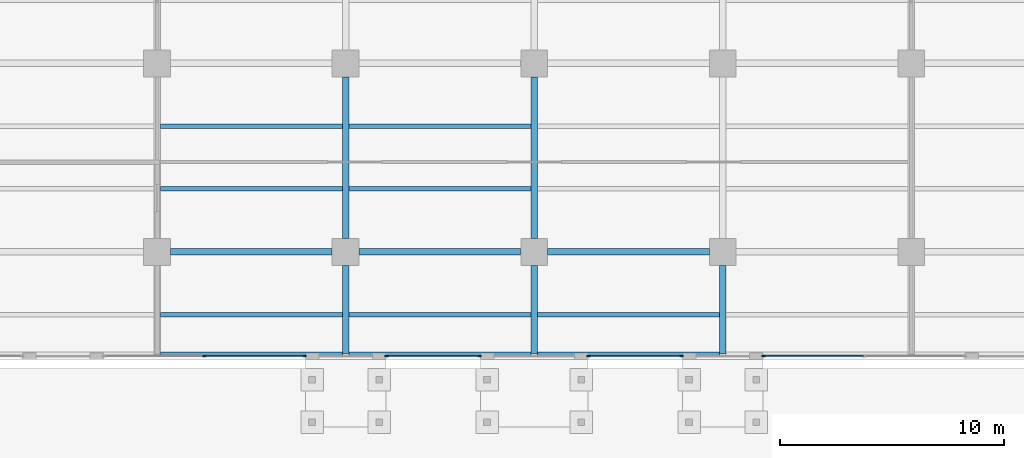
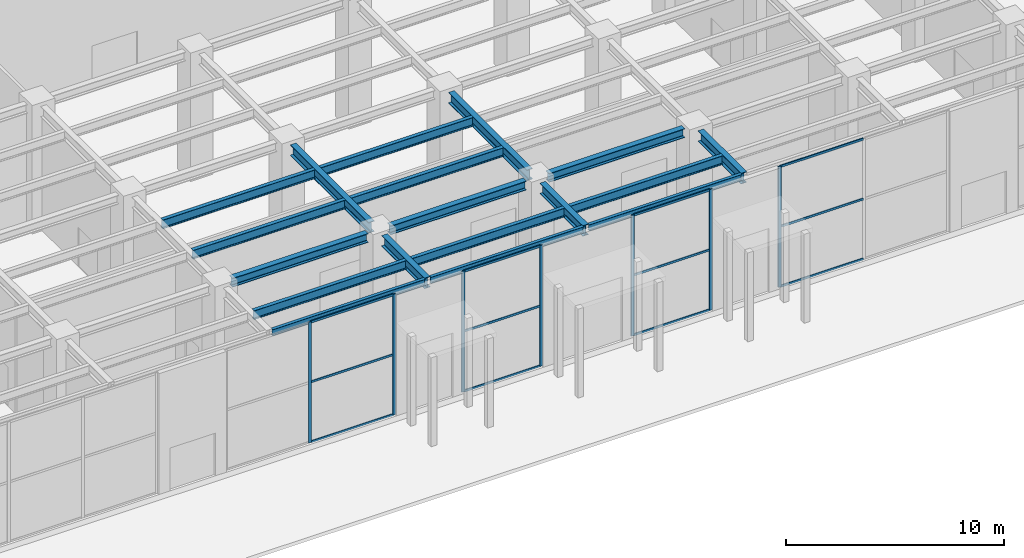
# One storey, part 6 of 43: 19 members, 18 beams, 4 elements without a shape of their own.
"""IFC4 building model written with IfcOpenShell, lengths in metres."""

from ifc_helpers import new_model, si_unit, direction, frame, origin, origin_2d, place, context, subcontext, project, spatial, rectangle, i_section, extrude, material, material_profile, profile_set, type_object, element, aggregate, save


model = new_model("IFC4")

# Units and contexts
model_context = context("Model", 3, precision=1e-05, world=origin(), true_north=direction((0.0, 1.0)))
body_context = subcontext(model_context, "Body", "Model", "MODEL_VIEW")
ifc_project = project(units=[si_unit("LENGTHUNIT", "METRE"), si_unit("AREAUNIT", "SQUARE_METRE"), si_unit("VOLUMEUNIT", "CUBIC_METRE"), si_unit("PLANEANGLEUNIT", "RADIAN"), si_unit("MASSUNIT", "GRAM", prefix="KILO")], contexts=[model_context])

# Site, building, storey
site_placement = place(None, origin())
site = spatial("IfcSite", under=ifc_project, at=site_placement, CompositionType="ELEMENT")
building_placement = place(site_placement, origin())
building = spatial("IfcBuilding", under=site, at=building_placement, Name="Khepri Terraces", CompositionType="ELEMENT")
storey_placement = place(building_placement, origin())
storey = spatial("IfcBuildingStorey", under=building, at=storey_placement, Name="L00", CompositionType="ELEMENT", Elevation=0.0)

# Curtain wall, members
ifc_material_1 = material(Name="Anodised aluminium bronze curtain wall", Category="aluminium")
curtain_wall_type = type_object("IfcCurtainWallType", Name="CW-SYS1-LOBBY", PredefinedType="NOTDEFINED", material=ifc_material_1)
curtain_wall_1_placement = place(storey_placement, origin())
curtain_wall_1 = element("IfcCurtainWall", 1, at=curtain_wall_1_placement, inside=storey, type_object=curtain_wall_type, Name="Curtain wall CW1 L00 S", PredefinedType="NOTDEFINED")
ifc_material_2 = material(Name="Anodised aluminium bronze", Category="aluminium")
ifc_material_profile_1 = material_profile(ifc_material_2, rectangle(XDim=0.06005859375, YDim=0.159912109375, at=origin_2d()), Name="Anodised aluminium bronze", Category="aluminium")
ifc_profile_set_1 = profile_set([ifc_material_profile_1], Name="Anodised aluminium bronze")
member_type_1 = type_object("IfcMemberType", Name="CW-MULLION-60x160", PredefinedType="MULLION", material=ifc_profile_set_1)
member_1_placement = place(storey_placement, frame((-14.699951171875, -46.64990234375, 0.0), z_axis=(0.0, 0.0, 1.0), x_axis=(0.0, 1.0, 0.0)))
member_1 = element("IfcMember", 2, at=member_1_placement, type_object=member_type_1, Name="CW1 mullion 2", PredefinedType="MULLION", context=body_context, shape_type="SweptSolid", body=[
    extrude(rectangle(XDim=0.06005859375, YDim=0.159912109375, at=origin_2d()), origin(), (0.0, 0.0, 1.0), 6.780029296875),
])
member_2_placement = place(storey_placement, frame((-10.22998046875, -46.64990234375, 0.0), z_axis=(0.0, 0.0, 1.0), x_axis=(0.0, 1.0, 0.0)))
member_2 = element("IfcMember", 3, at=member_2_placement, type_object=member_type_1, Name="CW1 mullion 3", PredefinedType="MULLION", context=body_context, shape_type="SweptSolid", body=[
    extrude(rectangle(XDim=0.06005859375, YDim=0.159912109375, at=origin_2d()), origin(), (0.0, 0.0, 1.0), 6.780029296875),
])

curtain_wall_2_placement = place(storey_placement, origin())
curtain_wall_2 = element("IfcCurtainWall", 4, at=curtain_wall_2_placement, inside=storey, type_object=curtain_wall_type, Name="Curtain wall CW1 L00 S", PredefinedType="NOTDEFINED")
member_3_placement = place(storey_placement, frame((-6.570068359375, -46.64990234375, 0.0), z_axis=(0.0, 0.0, 1.0), x_axis=(0.0, 1.0, 0.0)))
member_3 = element("IfcMember", 5, at=member_3_placement, type_object=member_type_1, Name="CW1 mullion 1", PredefinedType="MULLION", context=body_context, shape_type="SweptSolid", body=[
    extrude(rectangle(XDim=0.06005859375, YDim=0.159912109375, at=origin_2d()), origin(), (0.0, 0.0, 1.0), 6.780029296875),
])
member_4_placement = place(storey_placement, frame((-2.429931640625, -46.64990234375, 0.0), z_axis=(0.0, 0.0, 1.0), x_axis=(0.0, 1.0, 0.0)))
member_4 = element("IfcMember", 6, at=member_4_placement, type_object=member_type_1, Name="CW1 mullion 2", PredefinedType="MULLION", context=body_context, shape_type="SweptSolid", body=[
    extrude(rectangle(XDim=0.06005859375, YDim=0.159912109375, at=origin_2d()), origin(), (0.0, 0.0, 1.0), 6.780029296875),
])

curtain_wall_3_placement = place(storey_placement, origin())
curtain_wall_3 = element("IfcCurtainWall", 7, at=curtain_wall_3_placement, inside=storey, type_object=curtain_wall_type, Name="Curtain wall CW1 L00 S", PredefinedType="NOTDEFINED")
member_5_placement = place(storey_placement, frame((2.429931640625, -46.64990234375, 0.0), z_axis=(0.0, 0.0, 1.0), x_axis=(0.0, 1.0, 0.0)))
member_5 = element("IfcMember", 8, at=member_5_placement, type_object=member_type_1, Name="CW1 mullion 1", PredefinedType="MULLION", context=body_context, shape_type="SweptSolid", body=[
    extrude(rectangle(XDim=0.06005859375, YDim=0.159912109375, at=origin_2d()), origin(), (0.0, 0.0, 1.0), 6.780029296875),
])
member_6_placement = place(storey_placement, frame((6.570068359375, -46.64990234375, 0.0), z_axis=(0.0, 0.0, 1.0), x_axis=(0.0, 1.0, 0.0)))
member_6 = element("IfcMember", 9, at=member_6_placement, type_object=member_type_1, Name="CW1 mullion 2", PredefinedType="MULLION", context=body_context, shape_type="SweptSolid", body=[
    extrude(rectangle(XDim=0.06005859375, YDim=0.159912109375, at=origin_2d()), origin(), (0.0, 0.0, 1.0), 6.780029296875),
])

# Curtain wall, member
curtain_wall_4_placement = place(storey_placement, origin())
curtain_wall_4 = element("IfcCurtainWall", 10, at=curtain_wall_4_placement, inside=storey, type_object=curtain_wall_type, Name="Curtain wall CW1 L00 S", PredefinedType="NOTDEFINED")
member_7_placement = place(storey_placement, frame((10.22998046875, -46.64990234375, 0.0), z_axis=(0.0, 0.0, 1.0), x_axis=(0.0, 1.0, 0.0)))
member_7 = element("IfcMember", 11, at=member_7_placement, type_object=member_type_1, Name="CW1 mullion 1", PredefinedType="MULLION", context=body_context, shape_type="SweptSolid", body=[
    extrude(rectangle(XDim=0.06005859375, YDim=0.159912109375, at=origin_2d()), origin(), (0.0, 0.0, 1.0), 6.780029296875),
])

# Member
ifc_material_profile_2 = material_profile(ifc_material_2, rectangle(XDim=0.06005859375, YDim=0.1201171875, at=origin_2d()), Name="Anodised aluminium bronze", Category="aluminium")
ifc_profile_set_2 = profile_set([ifc_material_profile_2], Name="Anodised aluminium bronze")
member_type_2 = type_object("IfcMemberType", Name="CW-TRANSOM-60x120", PredefinedType="USERDEFINED", material=ifc_profile_set_2)
member_8_placement = place(storey_placement, frame((-14.669921875, -46.64990234375, 0.030029296875), z_axis=(1.0, 0.0, 0.0), x_axis=(0.0, 1.0, 0.0)))
member_8 = element("IfcMember", 12, at=member_8_placement, type_object=member_type_2, Name="CW1 transom 2.1", ObjectType="TRANSOM", PredefinedType="USERDEFINED", context=body_context, shape_type="SweptSolid", body=[
    extrude(rectangle(XDim=0.06005859375, YDim=0.1201171875, at=origin_2d()), origin(), (0.0, 0.0, 1.0), 4.409912109375),
])

member_9_placement = place(storey_placement, frame((-14.669921875, -46.64990234375, 3.389892578125), z_axis=(1.0, 0.0, 0.0), x_axis=(0.0, 1.0, 0.0)))
member_9 = element("IfcMember", 13, at=member_9_placement, type_object=member_type_2, Name="CW1 transom 2.2", ObjectType="TRANSOM", PredefinedType="USERDEFINED", context=body_context, shape_type="SweptSolid", body=[
    extrude(rectangle(XDim=0.06005859375, YDim=0.1201171875, at=origin_2d()), origin(), (0.0, 0.0, 1.0), 4.409912109375),
])

member_10_placement = place(storey_placement, frame((-14.669921875, -46.64990234375, 6.75), z_axis=(1.0, 0.0, 0.0), x_axis=(0.0, 1.0, 0.0)))
member_10 = element("IfcMember", 14, at=member_10_placement, type_object=member_type_2, Name="CW1 transom 2.3", ObjectType="TRANSOM", PredefinedType="USERDEFINED", context=body_context, shape_type="SweptSolid", body=[
    extrude(rectangle(XDim=0.06005859375, YDim=0.1201171875, at=origin_2d()), origin(), (0.0, 0.0, 1.0), 4.409912109375),
])

aggregate(curtain_wall_1, [member_1, member_2, member_8, member_9, member_10])

member_11_placement = place(storey_placement, frame((-6.5400390625, -46.64990234375, 0.030029296875), z_axis=(1.0, 0.0, 0.0), x_axis=(0.0, 1.0, 0.0)))
member_11 = element("IfcMember", 15, at=member_11_placement, type_object=member_type_2, Name="CW1 transom 1.1", ObjectType="TRANSOM", PredefinedType="USERDEFINED", context=body_context, shape_type="SweptSolid", body=[
    extrude(rectangle(XDim=0.06005859375, YDim=0.1201171875, at=origin_2d()), origin(), (0.0, 0.0, 1.0), 4.080078125),
])

member_12_placement = place(storey_placement, frame((-6.5400390625, -46.64990234375, 3.389892578125), z_axis=(1.0, 0.0, 0.0), x_axis=(0.0, 1.0, 0.0)))
member_12 = element("IfcMember", 16, at=member_12_placement, type_object=member_type_2, Name="CW1 transom 1.2", ObjectType="TRANSOM", PredefinedType="USERDEFINED", context=body_context, shape_type="SweptSolid", body=[
    extrude(rectangle(XDim=0.06005859375, YDim=0.1201171875, at=origin_2d()), origin(), (0.0, 0.0, 1.0), 4.080078125),
])

member_13_placement = place(storey_placement, frame((-6.5400390625, -46.64990234375, 6.75), z_axis=(1.0, 0.0, 0.0), x_axis=(0.0, 1.0, 0.0)))
member_13 = element("IfcMember", 17, at=member_13_placement, type_object=member_type_2, Name="CW1 transom 1.3", ObjectType="TRANSOM", PredefinedType="USERDEFINED", context=body_context, shape_type="SweptSolid", body=[
    extrude(rectangle(XDim=0.06005859375, YDim=0.1201171875, at=origin_2d()), origin(), (0.0, 0.0, 1.0), 4.080078125),
])

aggregate(curtain_wall_2, [member_3, member_4, member_11, member_12, member_13])

member_14_placement = place(storey_placement, frame((2.4599609375, -46.64990234375, 0.030029296875), z_axis=(1.0, 0.0, 0.0), x_axis=(0.0, 1.0, 0.0)))
member_14 = element("IfcMember", 18, at=member_14_placement, type_object=member_type_2, Name="CW1 transom 1.1", ObjectType="TRANSOM", PredefinedType="USERDEFINED", context=body_context, shape_type="SweptSolid", body=[
    extrude(rectangle(XDim=0.06005859375, YDim=0.1201171875, at=origin_2d()), origin(), (0.0, 0.0, 1.0), 4.080078125),
])

member_15_placement = place(storey_placement, frame((2.4599609375, -46.64990234375, 3.389892578125), z_axis=(1.0, 0.0, 0.0), x_axis=(0.0, 1.0, 0.0)))
member_15 = element("IfcMember", 19, at=member_15_placement, type_object=member_type_2, Name="CW1 transom 1.2", ObjectType="TRANSOM", PredefinedType="USERDEFINED", context=body_context, shape_type="SweptSolid", body=[
    extrude(rectangle(XDim=0.06005859375, YDim=0.1201171875, at=origin_2d()), origin(), (0.0, 0.0, 1.0), 4.080078125),
])

member_16_placement = place(storey_placement, frame((2.4599609375, -46.64990234375, 6.75), z_axis=(1.0, 0.0, 0.0), x_axis=(0.0, 1.0, 0.0)))
member_16 = element("IfcMember", 20, at=member_16_placement, type_object=member_type_2, Name="CW1 transom 1.3", ObjectType="TRANSOM", PredefinedType="USERDEFINED", context=body_context, shape_type="SweptSolid", body=[
    extrude(rectangle(XDim=0.06005859375, YDim=0.1201171875, at=origin_2d()), origin(), (0.0, 0.0, 1.0), 4.080078125),
])

aggregate(curtain_wall_3, [member_5, member_6, member_14, member_15, member_16])

member_17_placement = place(storey_placement, frame((10.260009765625, -46.64990234375, 0.030029296875), z_axis=(1.0, 0.0, 0.0), x_axis=(0.0, 1.0, 0.0)))
member_17 = element("IfcMember", 21, at=member_17_placement, type_object=member_type_2, Name="CW1 transom 1.1", ObjectType="TRANSOM", PredefinedType="USERDEFINED", context=body_context, shape_type="SweptSolid", body=[
    extrude(rectangle(XDim=0.06005859375, YDim=0.1201171875, at=origin_2d()), origin(), (0.0, 0.0, 1.0), 4.409912109375),
])

member_18_placement = place(storey_placement, frame((10.260009765625, -46.64990234375, 3.389892578125), z_axis=(1.0, 0.0, 0.0), x_axis=(0.0, 1.0, 0.0)))
member_18 = element("IfcMember", 22, at=member_18_placement, type_object=member_type_2, Name="CW1 transom 1.2", ObjectType="TRANSOM", PredefinedType="USERDEFINED", context=body_context, shape_type="SweptSolid", body=[
    extrude(rectangle(XDim=0.06005859375, YDim=0.1201171875, at=origin_2d()), origin(), (0.0, 0.0, 1.0), 4.409912109375),
])

member_19_placement = place(storey_placement, frame((10.260009765625, -46.64990234375, 6.75), z_axis=(1.0, 0.0, 0.0), x_axis=(0.0, 1.0, 0.0)))
member_19 = element("IfcMember", 23, at=member_19_placement, type_object=member_type_2, Name="CW1 transom 1.3", ObjectType="TRANSOM", PredefinedType="USERDEFINED", context=body_context, shape_type="SweptSolid", body=[
    extrude(rectangle(XDim=0.06005859375, YDim=0.1201171875, at=origin_2d()), origin(), (0.0, 0.0, 1.0), 4.409912109375),
])

aggregate(curtain_wall_4, [member_7, member_17, member_18, member_19])

# Beams
ifc_material_3 = material(Name="Steel S355", Category="steel")
ifc_material_profile_3 = material_profile(ifc_material_3, i_section(OverallWidth=0.300048828125, OverallDepth=0.60009765625, WebThickness=0.015380859375, FlangeThickness=0.030029296875, FilletRadius=0.027099609375, at=origin_2d()), Name="Steel S355", Category="steel")
ifc_profile_set_3 = profile_set([ifc_material_profile_3], Name="Steel S355")
beam_type_1 = type_object("IfcBeamType", Name="Podium cantilever girder L01 HEB 600", PredefinedType="BEAM", material=ifc_profile_set_3)
for number, where, z_axis, x_axis, name in (
    (24, (-8.39990234375, -46.550048828125, 6.699951171875), (0.0, 1.0, 0.0), (-1.0, 0.0, 0.0), "Podium girder L01 041"),
    (25, (0.0, -46.550048828125, 6.699951171875), (0.0, 1.0, 0.0), (-1.0, 0.0, 0.0), "Podium girder L01 047"),
    (26, (8.39990234375, -46.550048828125, 6.699951171875), (0.0, 1.0, 0.0), (-1.0, 0.0, 0.0), "Podium girder L01 053"),
):
    element("IfcBeam", number, at=place(storey_placement, frame(where, z_axis=z_axis, x_axis=x_axis)), inside=storey, type_object=beam_type_1, Name=name, PredefinedType="BEAM", context=body_context, shape_type="SweptSolid", body=[
        extrude(i_section(OverallWidth=0.300048828125, OverallDepth=0.60009765625, WebThickness=0.015380859375, FlangeThickness=0.030029296875, FilletRadius=0.027099609375, at=origin_2d()), origin(), (0.0, 0.0, 1.0), 3.949951171875),
    ])
ifc_material_profile_4 = material_profile(ifc_material_3, i_section(OverallWidth=0.169921875, OverallDepth=0.360107421875, WebThickness=0.008056640625, FlangeThickness=0.0126953125, FilletRadius=0.01806640625, at=origin_2d()), Name="Steel S355", Category="steel")
ifc_profile_set_4 = profile_set([ifc_material_profile_4], Name="Steel S355")
beam_type_2 = type_object("IfcBeamType", Name="Podium edge beam L01 IPE 360", PredefinedType="SPANDREL", material=ifc_profile_set_4)
beam_1_placement = place(storey_placement, frame((-16.64990234375, -46.550048828125, 6.820068359375), z_axis=(1.0, 0.0, 0.0), x_axis=(0.0, 1.0, 0.0)))
element("IfcBeam", 27, at=beam_1_placement, inside=storey, type_object=beam_type_2, Name="Podium edge beam L01 005", PredefinedType="SPANDREL", context=body_context, shape_type="SweptSolid", body=[
    extrude(i_section(OverallWidth=0.169921875, OverallDepth=0.360107421875, WebThickness=0.008056640625, FlangeThickness=0.0126953125, FilletRadius=0.01806640625, at=origin_2d()), origin(), (0.0, 0.0, 1.0), 8.099853515625),
])
for number, where, z_axis, x_axis, name in (
    (28, (-8.25, -46.550048828125, 6.820068359375), (1.0, 0.0, 0.0), (0.0, 1.0, 0.0), "Podium edge beam L01 006"),
    (29, (0.14990234375, -46.550048828125, 6.820068359375), (1.0, 0.0, 0.0), (0.0, 1.0, 0.0), "Podium edge beam L01 007"),
):
    element("IfcBeam", number, at=place(storey_placement, frame(where, z_axis=z_axis, x_axis=x_axis)), inside=storey, type_object=beam_type_2, Name=name, PredefinedType="SPANDREL", context=body_context, shape_type="SweptSolid", body=[
        extrude(i_section(OverallWidth=0.169921875, OverallDepth=0.360107421875, WebThickness=0.008056640625, FlangeThickness=0.0126953125, FilletRadius=0.01806640625, at=origin_2d()), origin(), (0.0, 0.0, 1.0), 8.10009765625),
    ])
ifc_material_profile_5 = material_profile(ifc_material_3, i_section(OverallWidth=0.300048828125, OverallDepth=0.60009765625, WebThickness=0.015380859375, FlangeThickness=0.030029296875, FilletRadius=0.027099609375, at=origin_2d()), Name="Steel S355", Category="steel")
ifc_profile_set_5 = profile_set([ifc_material_profile_5], Name="Steel S355")
beam_type_3 = type_object("IfcBeamType", Name="Podium girder L01 HEB 600", PredefinedType="BEAM", material=ifc_profile_set_5)
for number, where, z_axis, x_axis, name in (
    (30, (-8.39990234375, -41.39990234375, 6.699951171875), (0.0, 1.0, 0.0), (-1.0, 0.0, 0.0), "Podium girder L01 042"),
    (31, (0.0, -41.39990234375, 6.699951171875), (0.0, 1.0, 0.0), (-1.0, 0.0, 0.0), "Podium girder L01 048"),
):
    element("IfcBeam", number, at=place(storey_placement, frame(where, z_axis=z_axis, x_axis=x_axis)), inside=storey, type_object=beam_type_3, Name=name, PredefinedType="BEAM", context=body_context, shape_type="SweptSolid", body=[
        extrude(i_section(OverallWidth=0.300048828125, OverallDepth=0.60009765625, WebThickness=0.015380859375, FlangeThickness=0.030029296875, FilletRadius=0.027099609375, at=origin_2d()), origin(), (0.0, 0.0, 1.0), 7.199951171875),
    ])
ifc_material_profile_6 = material_profile(ifc_material_3, i_section(OverallWidth=0.300048828125, OverallDepth=0.5, WebThickness=0.014404296875, FlangeThickness=0.028076171875, FilletRadius=0.027099609375, at=origin_2d()), Name="Steel S355", Category="steel")
ifc_profile_set_6 = profile_set([ifc_material_profile_6], Name="Steel S355")
beam_type_4 = type_object("IfcBeamType", Name="Podium girder L01 grid line HEB 500", PredefinedType="BEAM", material=ifc_profile_set_6)
for number, where, z_axis, x_axis, name in (
    (32, (-16.199951171875, -42.0, 6.75), (1.0, 0.0, 0.0), (0.0, 1.0, 0.0), "Podium grid-line girder L01 017"),
    (33, (-7.800048828125, -42.0, 6.75), (1.0, 0.0, 0.0), (0.0, 1.0, 0.0), "Podium grid-line girder L01 018"),
    (34, (0.60009765625, -42.0, 6.75), (1.0, 0.0, 0.0), (0.0, 1.0, 0.0), "Podium grid-line girder L01 019"),
):
    element("IfcBeam", number, at=place(storey_placement, frame(where, z_axis=z_axis, x_axis=x_axis)), inside=storey, type_object=beam_type_4, Name=name, PredefinedType="BEAM", context=body_context, shape_type="SweptSolid", body=[
        extrude(i_section(OverallWidth=0.300048828125, OverallDepth=0.5, WebThickness=0.014404296875, FlangeThickness=0.028076171875, FilletRadius=0.027099609375, at=origin_2d()), origin(), (0.0, 0.0, 1.0), 7.199951171875),
    ])
ifc_material_profile_7 = material_profile(ifc_material_3, i_section(OverallWidth=0.199951171875, OverallDepth=0.5, WebThickness=0.01025390625, FlangeThickness=0.01611328125, FilletRadius=0.02099609375, at=origin_2d()), Name="Steel S355", Category="steel")
ifc_profile_set_7 = profile_set([ifc_material_profile_7], Name="Steel S355")
beam_type_5 = type_object("IfcBeamType", Name="Podium joist L01 IPE 500", PredefinedType="JOIST", material=ifc_profile_set_7)
beam_2_placement = place(storey_placement, frame((-16.64990234375, -44.800048828125, 6.75), z_axis=(1.0, 0.0, 0.0), x_axis=(0.0, 1.0, 0.0)))
element("IfcBeam", 35, at=beam_2_placement, inside=storey, type_object=beam_type_5, Name="Podium joist L01 005", PredefinedType="JOIST", context=body_context, shape_type="SweptSolid", body=[
    extrude(i_section(OverallWidth=0.199951171875, OverallDepth=0.5, WebThickness=0.01025390625, FlangeThickness=0.01611328125, FilletRadius=0.02099609375, at=origin_2d()), origin(), (0.0, 0.0, 1.0), 8.099853515625),
])
for number, where, z_axis, x_axis, name in (
    (36, (-8.25, -44.800048828125, 6.75), (1.0, 0.0, 0.0), (0.0, 1.0, 0.0), "Podium joist L01 006"),
    (37, (0.14990234375, -44.800048828125, 6.75), (1.0, 0.0, 0.0), (0.0, 1.0, 0.0), "Podium joist L01 007"),
):
    element("IfcBeam", number, at=place(storey_placement, frame(where, z_axis=z_axis, x_axis=x_axis)), inside=storey, type_object=beam_type_5, Name=name, PredefinedType="JOIST", context=body_context, shape_type="SweptSolid", body=[
        extrude(i_section(OverallWidth=0.199951171875, OverallDepth=0.5, WebThickness=0.01025390625, FlangeThickness=0.01611328125, FilletRadius=0.02099609375, at=origin_2d()), origin(), (0.0, 0.0, 1.0), 8.10009765625),
    ])
beam_3_placement = place(storey_placement, frame((-16.64990234375, -39.199951171875, 6.75), z_axis=(1.0, 0.0, 0.0), x_axis=(0.0, 1.0, 0.0)))
element("IfcBeam", 38, at=beam_3_placement, inside=storey, type_object=beam_type_5, Name="Podium joist L01 029", PredefinedType="JOIST", context=body_context, shape_type="SweptSolid", body=[
    extrude(i_section(OverallWidth=0.199951171875, OverallDepth=0.5, WebThickness=0.01025390625, FlangeThickness=0.01611328125, FilletRadius=0.02099609375, at=origin_2d()), origin(), (0.0, 0.0, 1.0), 8.099853515625),
])
beam_4_placement = place(storey_placement, frame((-8.25, -39.199951171875, 6.75), z_axis=(1.0, 0.0, 0.0), x_axis=(0.0, 1.0, 0.0)))
element("IfcBeam", 39, at=beam_4_placement, inside=storey, type_object=beam_type_5, Name="Podium joist L01 030", PredefinedType="JOIST", context=body_context, shape_type="SweptSolid", body=[
    extrude(i_section(OverallWidth=0.199951171875, OverallDepth=0.5, WebThickness=0.01025390625, FlangeThickness=0.01611328125, FilletRadius=0.02099609375, at=origin_2d()), origin(), (0.0, 0.0, 1.0), 8.10009765625),
])
beam_5_placement = place(storey_placement, frame((-16.64990234375, -36.39990234375, 6.75), z_axis=(1.0, 0.0, 0.0), x_axis=(0.0, 1.0, 0.0)))
element("IfcBeam", 40, at=beam_5_placement, inside=storey, type_object=beam_type_5, Name="Podium joist L01 041", PredefinedType="JOIST", context=body_context, shape_type="SweptSolid", body=[
    extrude(i_section(OverallWidth=0.199951171875, OverallDepth=0.5, WebThickness=0.01025390625, FlangeThickness=0.01611328125, FilletRadius=0.02099609375, at=origin_2d()), origin(), (0.0, 0.0, 1.0), 8.099853515625),
])
beam_6_placement = place(storey_placement, frame((-8.25, -36.39990234375, 6.75), z_axis=(1.0, 0.0, 0.0), x_axis=(0.0, 1.0, 0.0)))
element("IfcBeam", 41, at=beam_6_placement, inside=storey, type_object=beam_type_5, Name="Podium joist L01 042", PredefinedType="JOIST", context=body_context, shape_type="SweptSolid", body=[
    extrude(i_section(OverallWidth=0.199951171875, OverallDepth=0.5, WebThickness=0.01025390625, FlangeThickness=0.01611328125, FilletRadius=0.02099609375, at=origin_2d()), origin(), (0.0, 0.0, 1.0), 8.10009765625),
])

save(model, "model.ifc")
